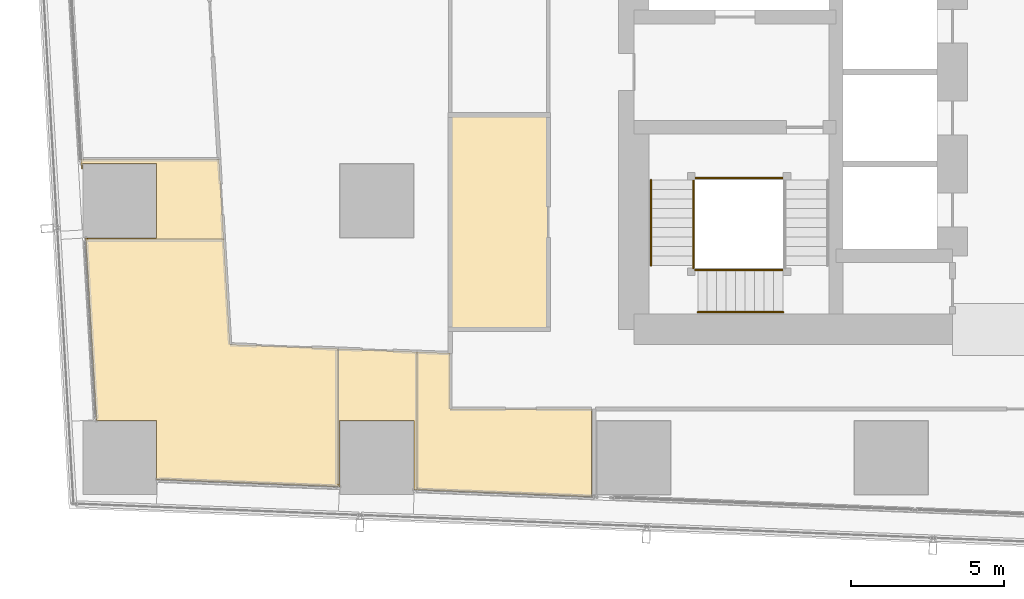
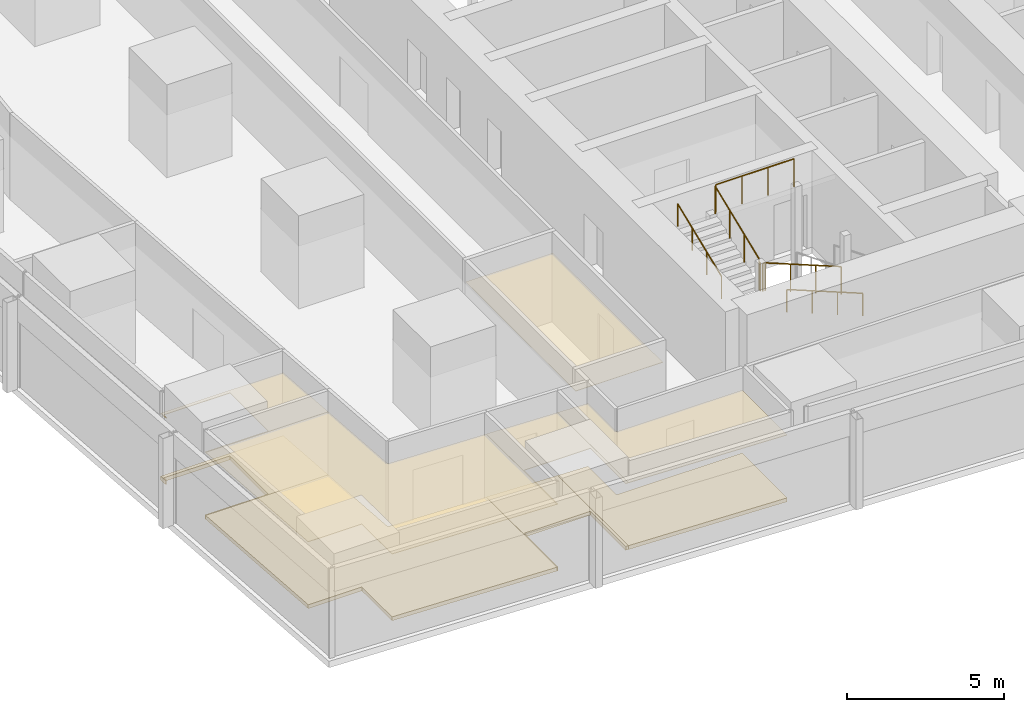
# One storey, part 28 of 37: 9 coverings, 7 railings.
"""IFC4 building model written with IfcOpenShell, lengths in metres."""

from ifc_helpers import new_model, si_unit, direction, frame, origin, origin_2d, place, context, subcontext, project, spatial, polyline, circle, outline, extrude, material, layer, layer_set, type_object, element, save


model = new_model("IFC4")

# Units and contexts
model_context = context("Model", 3, precision=1e-05, world=origin(), true_north=direction((0.0, 1.0)))
body_context = subcontext(model_context, "Body", "Model", "MODEL_VIEW")
ifc_project = project(units=[si_unit("LENGTHUNIT", "METRE"), si_unit("AREAUNIT", "SQUARE_METRE"), si_unit("VOLUMEUNIT", "CUBIC_METRE"), si_unit("PLANEANGLEUNIT", "RADIAN"), si_unit("MASSUNIT", "GRAM", prefix="KILO")], contexts=[model_context])

# Site, building, storey
site_placement = place(None, origin())
site = spatial("IfcSite", under=ifc_project, at=site_placement, CompositionType="ELEMENT")
building_placement = place(site_placement, origin())
building = spatial("IfcBuilding", under=site, at=building_placement, Name="Rekha Terrace Tower", CompositionType="ELEMENT")
storey_placement = place(building_placement, frame((0.0, 0.0, 228.949951171875)))
storey = spatial("IfcBuildingStorey", under=building, at=storey_placement, Name="L58", CompositionType="ELEMENT", Elevation=228.949951171875)

# Coverings
ifc_material_1 = material(Name="Mineral fibre tile in exposed grid", Category="finish")
ifc_layer_1 = layer(ifc_material_1, 0.02001953125)
ifc_layer_set_1 = layer_set([ifc_layer_1], Name="Mineral fibre tile in exposed grid")
covering_type_1 = type_object("IfcCoveringType", Name="CL1 600x1200 office grid ceiling", PredefinedType="CEILING", material=ifc_layer_set_1)
covering_1_placement = place(storey_placement, frame((0.0, 0.0, 2.580078125)))
element("IfcCovering", 1, at=covering_1_placement, inside=storey, type_object=covering_type_1, Name="Ceiling L58-11", PredefinedType="CEILING", context=body_context, shape_type="SweptSolid", body=[
    extrude(outline(polyline([(9.614990234375, 23.985107421875), (7.29296875, 23.985107421875), (7.294921875, 23.943115234375), (11.802001953125, 23.943115234375), (11.64892578125, 26.5458984375), (7.14111328125, 26.5458984375), (7.158935546875, 26.23388671875), (7.18505859375, 26.235107421875), (7.18505859375, 26.4150390625), (9.614990234375, 26.4150390625), (9.614990234375, 23.985107421875)])), origin(), (0.0, 0.0, 1.0), 0.02001953125),
])
covering_2_placement = place(storey_placement, frame((0.0, 0.0, 2.580078125)))
element("IfcCovering", 2, at=covering_2_placement, inside=storey, type_object=covering_type_1, Name="Ceiling L58-12", PredefinedType="CEILING", context=body_context, shape_type="SweptSolid", body=[
    extrude(outline(polyline([(9.614990234375, 16.096923828125), (15.54296875, 15.860107421875), (15.54296875, 20.364013671875), (12.0048828125, 20.5048828125), (11.802001953125, 23.94189453125), (7.294921875, 23.94189453125), (7.64404296875, 18.014892578125), (9.614990234375, 18.014892578125), (9.614990234375, 16.096923828125)])), origin(), (0.0, 0.0, 1.0), 0.02001953125),
])
covering_3_placement = place(storey_placement, frame((0.0, 0.0, 2.580078125)))
element("IfcCovering", 3, at=covering_3_placement, inside=storey, type_object=covering_type_1, Name="Ceiling L58-13", PredefinedType="CEILING", context=body_context, shape_type="SweptSolid", body=[
    extrude(outline(polyline([(18.014892578125, 18.014892578125), (18.014892578125, 15.761962890625), (18.10888671875, 15.758056640625), (18.10888671875, 20.260986328125), (15.5439453125, 20.364013671875), (15.5439453125, 15.860107421875), (15.5849609375, 15.85791015625), (15.5849609375, 18.014892578125), (18.014892578125, 18.014892578125)])), origin(), (0.0, 0.0, 1.0), 0.02001953125),
])
covering_4_placement = place(storey_placement, frame((0.0, 0.0, 2.580078125)))
element("IfcCovering", 4, at=covering_4_placement, inside=storey, type_object=covering_type_1, Name="Ceiling L58-14", PredefinedType="CEILING", context=body_context, shape_type="SweptSolid", body=[
    extrude(outline(polyline([(23.81689453125, 15.530029296875), (23.81689453125, 18.39990234375), (19.199951171875, 18.39990234375), (19.199951171875, 20.218017578125), (18.110107421875, 20.260986328125), (18.110107421875, 15.758056640625), (23.81689453125, 15.530029296875)])), origin(), (0.0, 0.0, 1.0), 0.02001953125),
])
ifc_material_2 = material(Name="Fibre cement board", Category="finish")
ifc_layer_2 = layer(ifc_material_2, 0.014892578125)
ifc_layer_set_2 = layer_set([ifc_layer_2], Name="Fibre cement board")
covering_type_2 = type_object("IfcCoveringType", Name="CL2 moisture-resistant board ceiling", PredefinedType="CEILING", material=ifc_layer_set_2)
covering_5_placement = place(storey_placement, frame((0.0, 0.0, 2.5849609375)))
element("IfcCovering", 5, at=covering_5_placement, inside=storey, type_object=covering_type_2, Name="Ceiling L58-WCM", PredefinedType="CEILING", context=body_context, shape_type="SweptSolid", body=[
    extrude(outline(polyline([(22.39990234375, 28.0), (19.199951171875, 28.0), (19.199951171875, 21.0), (22.39990234375, 21.0), (22.39990234375, 28.0)])), origin(), (0.0, 0.0, 1.0), 0.01513671875),
])

# Railings
ifc_material_3 = material(Name="Stainless steel balustrade", Category="steel")
railing_type_1 = type_object("IfcRailingType", Name="GR1 1100 stair guard", PredefinedType="GUARDRAIL", material=ifc_material_3)
railing_1_placement = place(storey_placement, frame((30.074951171875, 22.93994140625, 1.375)))
element("IfcRailing", 6, at=railing_1_placement, inside=storey, type_object=railing_type_1, Name="Guard ST1 L58 flight 2", PredefinedType="GUARDRAIL", context=body_context, shape_type="SweptSolid", body=[
    extrude(circle(Radius=0.02392578125, at=origin_2d()), frame((0.0, 0.0, 1.076171875), z_axis=(-0.927443287984, 0.0, 0.373963831907), x_axis=(0.0, -1.0, 0.0)), (0.0, 0.0, 1.0), 3.00830078125),
    extrude(circle(Radius=0.02099609375, at=origin_2d()), origin(), (0.0, 0.0, 1.0), 1.052001953125),
    extrude(circle(Radius=0.02099609375, at=origin_2d()), frame((-0.929931640625, 0.0, 0.375)), (0.0, 0.0, 1.0), 1.052001953125),
    extrude(circle(Radius=0.02099609375, at=origin_2d()), frame((-1.860107421875, 0.0, 0.75)), (0.0, 0.0, 1.0), 1.052001953125),
    extrude(circle(Radius=0.02099609375, at=origin_2d()), frame((-2.7900390625, 0.0, 1.125)), (0.0, 0.0, 1.0), 1.052001953125),
])
railing_2_placement = place(storey_placement, frame((27.139892578125, 23.0849609375, 2.625)))
element("IfcRailing", 7, at=railing_2_placement, inside=storey, type_object=railing_type_1, Name="Guard ST1 L58 flight 3", PredefinedType="GUARDRAIL", context=body_context, shape_type="SweptSolid", body=[
    extrude(circle(Radius=0.02392578125, at=origin_2d()), frame((0.0, 0.0, 1.076171875), z_axis=(0.0, 0.927443287984, 0.373963831907), x_axis=(-1.0, 0.0, 0.0)), (0.0, 0.0, 1.0), 3.00830078125),
    extrude(circle(Radius=0.02099609375, at=origin_2d()), origin(), (0.0, 0.0, 1.0), 1.052001953125),
    extrude(circle(Radius=0.02099609375, at=origin_2d()), frame((0.0, 0.929931640625, 0.375)), (0.0, 0.0, 1.0), 1.052001953125),
    extrude(circle(Radius=0.02099609375, at=origin_2d()), frame((0.0, 1.860107421875, 0.75)), (0.0, 0.0, 1.0), 1.052001953125),
    extrude(circle(Radius=0.02099609375, at=origin_2d()), frame((0.0, 2.7900390625, 1.125)), (0.0, 0.0, 1.0), 1.052001953125),
])
railing_3_placement = place(storey_placement, frame((27.284912109375, 22.93994140625, 2.5)))
element("IfcRailing", 8, at=railing_3_placement, inside=storey, type_object=railing_type_1, Name="Guard ST1 L58 landing 2", PredefinedType="GUARDRAIL", context=body_context, shape_type="SweptSolid", body=[
    extrude(circle(Radius=0.02392578125, at=origin_2d()), frame((0.0, 0.0, 1.076171875), z_axis=(-1.0, 0.0, 0.0), x_axis=(0.0, -1.0, 0.0)), (0.0, 0.0, 1.0), 0.0849609375),
    extrude(circle(Radius=0.02099609375, at=origin_2d()), origin(), (0.0, 0.0, 1.0), 1.052001953125),
    extrude(circle(Radius=0.02099609375, at=origin_2d()), frame((-0.0849609375, 0.0, 0.0)), (0.0, 0.0, 1.0), 1.052001953125),
])
railing_4_placement = place(storey_placement, frame((27.139892578125, 23.0849609375, 2.5)))
element("IfcRailing", 9, at=railing_4_placement, inside=storey, type_object=railing_type_1, Name="Guard ST1 L58 landing 3", PredefinedType="GUARDRAIL", context=body_context, shape_type="SweptSolid", body=[
    extrude(circle(Radius=0.02392578125, at=origin_2d()), frame((0.0, 0.0, 1.076171875), z_axis=(0.0, -1.0, 0.0), x_axis=(1.0, 0.0, 0.0)), (0.0, 0.0, 1.0), 0.0849609375),
    extrude(circle(Radius=0.02099609375, at=origin_2d()), origin(), (0.0, 0.0, 1.0), 1.052001953125),
    extrude(circle(Radius=0.02099609375, at=origin_2d()), frame((0.0, -0.0849609375, 0.0)), (0.0, 0.0, 1.0), 1.052001953125),
])
railing_5_placement = place(storey_placement, frame((30.074951171875, 25.93505859375, 3.75)))
element("IfcRailing", 10, at=railing_5_placement, inside=storey, type_object=railing_type_1, Name="Guard ST1 L58 landing 4", PredefinedType="GUARDRAIL", context=body_context, shape_type="SweptSolid", body=[
    extrude(circle(Radius=0.02392578125, at=origin_2d()), frame((0.0, 0.0, 1.076171875), z_axis=(-1.0, 0.0, 0.0), x_axis=(0.0, -1.0, 0.0)), (0.0, 0.0, 1.0), 2.875),
    extrude(circle(Radius=0.02099609375, at=origin_2d()), origin(), (0.0, 0.0, 1.0), 1.052001953125),
    extrude(circle(Radius=0.02099609375, at=origin_2d()), frame((-0.958251953125, 0.0, 0.0)), (0.0, 0.0, 1.0), 1.052001953125),
    extrude(circle(Radius=0.02099609375, at=origin_2d()), frame((-1.916748046875, 0.0, 0.0)), (0.0, 0.0, 1.0), 1.052001953125),
    extrude(circle(Radius=0.02099609375, at=origin_2d()), frame((-2.875, 0.0, 0.0)), (0.0, 0.0, 1.0), 1.052001953125),
])
ifc_material_4 = material(Name="Stainless steel tube", Category="steel")
railing_type_2 = type_object("IfcRailingType", Name="HR1 900 stair handrail", PredefinedType="HANDRAIL", material=ifc_material_4)
railing_6_placement = place(storey_placement, frame((30.074951171875, 21.56005859375, 1.375)))
element("IfcRailing", 11, at=railing_6_placement, inside=storey, type_object=railing_type_2, Name="Handrail ST1 L58 flight 2", PredefinedType="HANDRAIL", context=body_context, shape_type="SweptSolid", body=[
    extrude(circle(Radius=0.02392578125, at=origin_2d()), frame((0.0, 0.0, 0.8759765625), z_axis=(-0.927443287984, 0.0, 0.373963831907), x_axis=(0.0, -1.0, 0.0)), (0.0, 0.0, 1.0), 3.00830078125),
    extrude(circle(Radius=0.02099609375, at=origin_2d()), origin(), (0.0, 0.0, 1.0), 0.851806640625),
    extrude(circle(Radius=0.02099609375, at=origin_2d()), frame((-0.929931640625, 0.0, 0.375)), (0.0, 0.0, 1.0), 0.851806640625),
    extrude(circle(Radius=0.02099609375, at=origin_2d()), frame((-1.860107421875, 0.0, 0.75)), (0.0, 0.0, 1.0), 0.851806640625),
    extrude(circle(Radius=0.02099609375, at=origin_2d()), frame((-2.7900390625, 0.0, 1.125)), (0.0, 0.0, 1.0), 0.851806640625),
])
railing_7_placement = place(storey_placement, frame((25.760009765625, 23.0849609375, 2.625)))
element("IfcRailing", 12, at=railing_7_placement, inside=storey, type_object=railing_type_2, Name="Handrail ST1 L58 flight 3", PredefinedType="HANDRAIL", context=body_context, shape_type="SweptSolid", body=[
    extrude(circle(Radius=0.02392578125, at=origin_2d()), frame((0.0, 0.0, 0.8759765625), z_axis=(0.0, 0.927443287984, 0.373963831907), x_axis=(-1.0, 0.0, 0.0)), (0.0, 0.0, 1.0), 3.00830078125),
    extrude(circle(Radius=0.02099609375, at=origin_2d()), origin(), (0.0, 0.0, 1.0), 0.851806640625),
    extrude(circle(Radius=0.02099609375, at=origin_2d()), frame((0.0, 0.929931640625, 0.375)), (0.0, 0.0, 1.0), 0.851806640625),
    extrude(circle(Radius=0.02099609375, at=origin_2d()), frame((0.0, 1.860107421875, 0.75)), (0.0, 0.0, 1.0), 0.851806640625),
    extrude(circle(Radius=0.02099609375, at=origin_2d()), frame((0.0, 2.7900390625, 1.125)), (0.0, 0.0, 1.0), 0.851806640625),
])

# Coverings
ifc_material_5 = material(Name="Calcium sulphate panels on steel pedestals", Category="steel")
ifc_layer_3 = layer(ifc_material_5, 0.14990234375)
ifc_layer_set_3 = layer_set([ifc_layer_3], Name="Calcium sulphate panels on steel pedestals")
covering_type_3 = type_object("IfcCoveringType", Name="RF1 150 raised access floor", PredefinedType="FLOORING", material=ifc_layer_set_3)
covering_6_placement = place(storey_placement, origin())
element("IfcCovering", 13, at=covering_6_placement, inside=storey, type_object=covering_type_3, Name="Raised floor L58-11", PredefinedType="FLOORING", context=body_context, shape_type="SweptSolid", body=[
    extrude(outline(polyline([(9.614990234375, 23.985107421875), (7.29296875, 23.985107421875), (7.294921875, 23.943115234375), (11.802001953125, 23.943115234375), (11.64892578125, 26.5458984375), (7.14111328125, 26.5458984375), (7.158935546875, 26.23388671875), (7.18505859375, 26.235107421875), (7.18505859375, 26.4150390625), (9.614990234375, 26.4150390625), (9.614990234375, 23.985107421875)])), origin(), (0.0, 0.0, 1.0), 0.150146484375),
])
covering_7_placement = place(storey_placement, origin())
element("IfcCovering", 14, at=covering_7_placement, inside=storey, type_object=covering_type_3, Name="Raised floor L58-12", PredefinedType="FLOORING", context=body_context, shape_type="SweptSolid", body=[
    extrude(outline(polyline([(9.614990234375, 16.096923828125), (15.54296875, 15.860107421875), (15.54296875, 20.364013671875), (12.0048828125, 20.5048828125), (11.802001953125, 23.94189453125), (7.294921875, 23.94189453125), (7.64404296875, 18.014892578125), (9.614990234375, 18.014892578125), (9.614990234375, 16.096923828125)])), origin(), (0.0, 0.0, 1.0), 0.150146484375),
])
covering_8_placement = place(storey_placement, origin())
element("IfcCovering", 15, at=covering_8_placement, inside=storey, type_object=covering_type_3, Name="Raised floor L58-13", PredefinedType="FLOORING", context=body_context, shape_type="SweptSolid", body=[
    extrude(outline(polyline([(18.014892578125, 18.014892578125), (18.014892578125, 15.761962890625), (18.10888671875, 15.758056640625), (18.10888671875, 20.260986328125), (15.5439453125, 20.364013671875), (15.5439453125, 15.860107421875), (15.5849609375, 15.85791015625), (15.5849609375, 18.014892578125), (18.014892578125, 18.014892578125)])), origin(), (0.0, 0.0, 1.0), 0.150146484375),
])
covering_9_placement = place(storey_placement, origin())
element("IfcCovering", 16, at=covering_9_placement, inside=storey, type_object=covering_type_3, Name="Raised floor L58-14", PredefinedType="FLOORING", context=body_context, shape_type="SweptSolid", body=[
    extrude(outline(polyline([(23.81689453125, 15.530029296875), (23.81689453125, 18.39990234375), (19.199951171875, 18.39990234375), (19.199951171875, 20.218017578125), (18.110107421875, 20.260986328125), (18.110107421875, 15.758056640625), (23.81689453125, 15.530029296875)])), origin(), (0.0, 0.0, 1.0), 0.150146484375),
])

save(model, "model.ifc")
